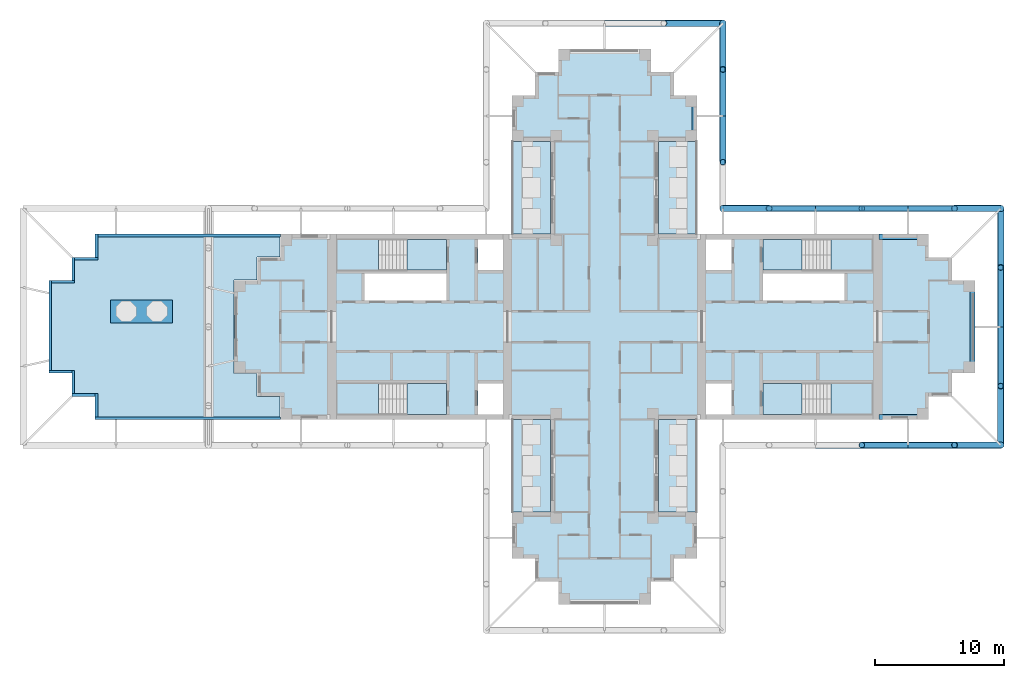
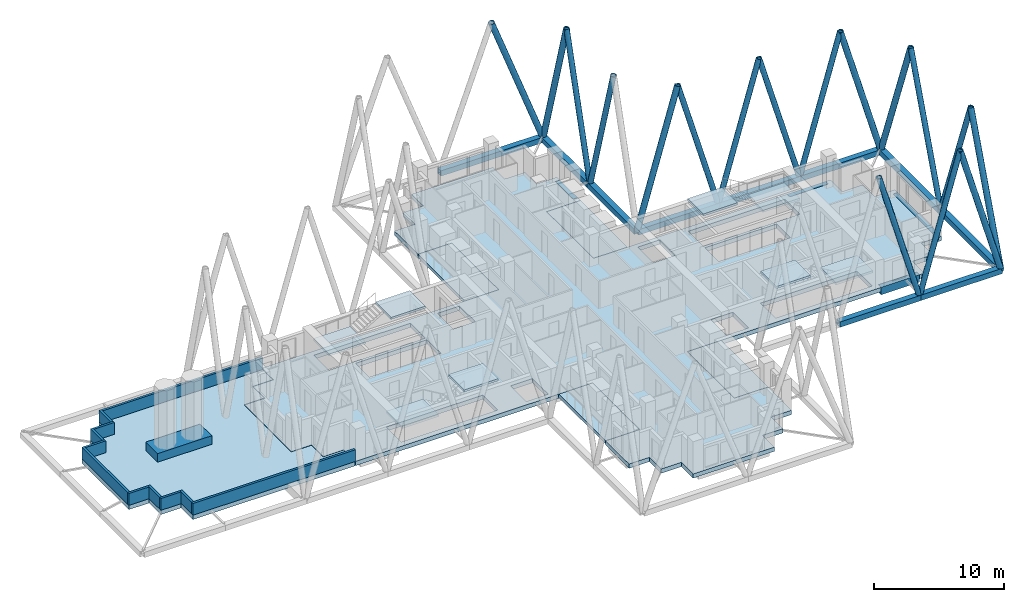
# One storey, part 2 of 11: 27 members, 14 slabs, 12 walls, 4 beams, 4 elements without a shape of their own.
"""IFC4 building model written with IfcOpenShell, lengths in metres."""

from ifc_helpers import new_model, si_unit, direction, frame, frame_2d, origin, origin_2d, place, context, subcontext, project, spatial, polyline, rectangle, hollow_rectangle, hollow_circle, outline, extrude, material, layer, layer_set, material_profile, profile_set, type_object, element, aggregate, save


model = new_model("IFC4")

# Units and contexts
model_context = context("Model", 3, precision=1e-05, world=origin(), true_north=direction((0.0, 1.0)))
body_context = subcontext(model_context, "Body", "Model", "MODEL_VIEW")
ifc_project = project(units=[si_unit("LENGTHUNIT", "METRE"), si_unit("AREAUNIT", "SQUARE_METRE"), si_unit("VOLUMEUNIT", "CUBIC_METRE"), si_unit("PLANEANGLEUNIT", "RADIAN"), si_unit("MASSUNIT", "GRAM", prefix="KILO")], contexts=[model_context])

# Site, building, storey
site_placement = place(None, origin())
site = spatial("IfcSite", under=ifc_project, at=site_placement, CompositionType="ELEMENT")
building_placement = place(site_placement, origin())
building = spatial("IfcBuilding", under=site, at=building_placement, Name="Fustian Cross Tower", CompositionType="ELEMENT")
storey_placement = place(building_placement, frame((0.0, 0.0, 198.89990234375)))
storey = spatial("IfcBuildingStorey", under=building, at=storey_placement, Name="L62", CompositionType="ELEMENT", Elevation=198.89990234375)

# Members
ifc_material_1 = material(Name="Steel S355", Category="steel")
ifc_material_profile_1 = material_profile(ifc_material_1, hollow_circle(Radius=0.228515625, WallThickness=0.01611328125, at=origin_2d()), Name="CHS 457x16")
ifc_profile_set_1 = profile_set([ifc_material_profile_1], Name="Steel S355")
member_type_1 = type_object("IfcMemberType", Name="DIAGRID DIAGONAL CHS 457x16", PredefinedType="BRACE", material=ifc_profile_set_1)
for number, where, z_axis, x_axis, name in (
    (1, (23.60009765625, -9.199951171875, -0.39990234375), (-0.278819195264, 0.0, 0.960343613689), (0.0, -1.0, 0.0), "Diagrid diagonal E-S 04"),
    (2, (23.60009765625, -9.199951171875, -0.39990234375), (0.278801756922, 0.0, 0.960348676438), (0.0, 1.0, 0.0), "Diagrid diagonal E-S 05"),
):
    element("IfcMember", number, at=place(storey_placement, frame(where, z_axis=z_axis, x_axis=x_axis)), inside=storey, type_object=member_type_1, Name=name, PredefinedType="BRACE", context=body_context, shape_type="SweptSolid", body=[
        extrude(hollow_circle(Radius=0.228515625, WallThickness=0.01611328125, at=origin_2d()), origin(), (0.0, 0.0, 1.0), 12.911865234375),
    ])
for number, where, z_axis, x_axis, name in (
    (3, (30.800048828125, 0.0, -0.39990234375), (0.0, -0.347815721372, 0.937562917338), (1.0, 0.0, 0.0), "Diagrid diagonal E-end 02"),
    (4, (30.800048828125, 0.0, -0.39990234375), (0.0, 0.347815721372, 0.937562917338), (-1.0, 0.0, 0.0), "Diagrid diagonal E-end 03"),
):
    element("IfcMember", number, at=place(storey_placement, frame(where, z_axis=z_axis, x_axis=x_axis)), inside=storey, type_object=member_type_1, Name=name, PredefinedType="BRACE", context=body_context, shape_type="SweptSolid", body=[
        extrude(hollow_circle(Radius=0.228515625, WallThickness=0.01611328125, at=origin_2d()), origin(), (0.0, 0.0, 1.0), 13.2255859375),
    ])
for number, where, z_axis, x_axis, name in (
    (5, (23.60009765625, 9.199951171875, -0.39990234375), (0.278801756922, 0.0, 0.960348676438), (0.0, 1.0, 0.0), "Diagrid diagonal E-N 02"),
    (6, (23.60009765625, 9.199951171875, -0.39990234375), (-0.278819195264, 0.0, 0.960343613689), (0.0, -1.0, 0.0), "Diagrid diagonal E-N 03"),
    (7, (16.39990234375, 9.199951171875, -0.39990234375), (0.278819195264, 0.0, 0.960343613689), (0.0, 1.0, 0.0), "Diagrid diagonal E-N 04"),
    (8, (16.39990234375, 9.199951171875, -0.39990234375), (-0.278801756922, 0.0, 0.960348676438), (0.0, -1.0, 0.0), "Diagrid diagonal E-N 05"),
    (9, (9.199951171875, 16.39990234375, -0.39990234375), (0.0, -0.278801756922, 0.960348676438), (1.0, 0.0, 0.0), "Diagrid diagonal N-E 02"),
    (10, (9.199951171875, 16.39990234375, -0.39990234375), (0.0, 0.278819195264, 0.960343613689), (-1.0, 0.0, 0.0), "Diagrid diagonal N-E 03"),
):
    element("IfcMember", number, at=place(storey_placement, frame(where, z_axis=z_axis, x_axis=x_axis)), inside=storey, type_object=member_type_1, Name=name, PredefinedType="BRACE", context=body_context, shape_type="SweptSolid", body=[
        extrude(hollow_circle(Radius=0.228515625, WallThickness=0.01611328125, at=origin_2d()), origin(), (0.0, 0.0, 1.0), 12.911865234375),
    ])
ifc_material_2 = material(Name="Steel S355", Category="steel")
ifc_material_profile_2 = material_profile(ifc_material_2, hollow_circle(Radius=0.25390625, WallThickness=0.02001953125, at=origin_2d()), Name="CHS 508x20")
ifc_profile_set_2 = profile_set([ifc_material_profile_2], Name="Steel S355")
member_type_2 = type_object("IfcMemberType", Name="DIAGRID DIAGONAL CHS 508x20", PredefinedType="BRACE", material=ifc_profile_set_2)
member_1_placement = place(storey_placement, frame((30.800048828125, -9.199951171875, -0.39990234375), z_axis=(-0.278819195264, 0.0, 0.960343613689), x_axis=(0.0, -1.0, 0.0)))
element("IfcMember", 11, at=member_1_placement, inside=storey, type_object=member_type_2, Name="Diagrid diagonal E-S 06", PredefinedType="BRACE", context=body_context, shape_type="SweptSolid", body=[
    extrude(hollow_circle(Radius=0.25390625, WallThickness=0.02001953125, at=origin_2d()), origin(), (0.0, 0.0, 1.0), 12.911865234375),
])
for number, where, z_axis, x_axis, name in (
    (12, (30.800048828125, -9.199951171875, -0.39990234375), (0.0, 0.347799494783, 0.937568936894), (-1.0, 0.0, 0.0), "Diagrid diagonal E-end 01"),
    (13, (30.800048828125, 9.199951171875, -0.39990234375), (0.0, -0.347799494783, 0.937568936894), (1.0, 0.0, 0.0), "Diagrid diagonal E-end 04"),
):
    element("IfcMember", number, at=place(storey_placement, frame(where, z_axis=z_axis, x_axis=x_axis)), inside=storey, type_object=member_type_2, Name=name, PredefinedType="BRACE", context=body_context, shape_type="SweptSolid", body=[
        extrude(hollow_circle(Radius=0.25390625, WallThickness=0.02001953125, at=origin_2d()), origin(), (0.0, 0.0, 1.0), 13.2255859375),
    ])
for number, where, z_axis, x_axis, name in (
    (14, (30.800048828125, 9.199951171875, -0.39990234375), (-0.278819195264, 0.0, 0.960343613689), (0.0, -1.0, 0.0), "Diagrid diagonal E-N 01"),
    (15, (9.199951171875, 9.199951171875, -0.39990234375), (0.278819195264, 0.0, 0.960343613689), (0.0, 1.0, 0.0), "Diagrid diagonal E-N 06"),
    (16, (9.199951171875, 23.60009765625, -0.39990234375), (0.0, -0.278819195264, 0.960343613689), (1.0, 0.0, 0.0), "Diagrid diagonal N-E 04"),
):
    element("IfcMember", number, at=place(storey_placement, frame(where, z_axis=z_axis, x_axis=x_axis)), inside=storey, type_object=member_type_2, Name=name, PredefinedType="BRACE", context=body_context, shape_type="SweptSolid", body=[
        extrude(hollow_circle(Radius=0.25390625, WallThickness=0.02001953125, at=origin_2d()), origin(), (0.0, 0.0, 1.0), 12.911865234375),
    ])
member_2_placement = place(storey_placement, frame((9.199951171875, 23.60009765625, -0.39990234375), z_axis=(-0.347799494783, 0.0, 0.937568936894), x_axis=(0.0, -1.0, 0.0)))
element("IfcMember", 17, at=member_2_placement, inside=storey, type_object=member_type_2, Name="Diagrid diagonal N-end 01", PredefinedType="BRACE", context=body_context, shape_type="SweptSolid", body=[
    extrude(hollow_circle(Radius=0.25390625, WallThickness=0.02001953125, at=origin_2d()), origin(), (0.0, 0.0, 1.0), 13.2255859375),
])
ifc_material_3 = material(Name="Steel S355", Category="steel")
ifc_material_profile_3 = material_profile(ifc_material_3, hollow_rectangle(XDim=0.5, YDim=0.5, WallThickness=0.02490234375, at=origin_2d()), Name="RHS 500x500x25")
ifc_profile_set_3 = profile_set([ifc_material_profile_3], Name="Steel S355")
member_type_3 = type_object("IfcMemberType", Name="DIAGRID RING RHS 500x500x25", PredefinedType="MEMBER", material=ifc_profile_set_3)
member_3_placement = place(storey_placement, frame((30.800048828125, 0.0, -0.39990234375), z_axis=(0.0, 1.0, 0.0), x_axis=(-1.0, 0.0, 0.0)))
element("IfcMember", 18, at=member_3_placement, inside=storey, type_object=member_type_3, Name="Diagrid ring L62-01 L62-02", PredefinedType="MEMBER", context=body_context, shape_type="SweptSolid", body=[
    extrude(hollow_rectangle(XDim=0.5, YDim=0.5, WallThickness=0.02490234375, at=origin_2d()), origin(), (0.0, 0.0, 1.0), 9.199951171875),
])
member_4_placement = place(storey_placement, frame((30.800048828125, 9.199951171875, -0.39990234375), z_axis=(-1.0, 0.0, 0.0), x_axis=(0.0, -1.0, 0.0)))
element("IfcMember", 19, at=member_4_placement, inside=storey, type_object=member_type_3, Name="Diagrid ring L62-02 L62-03", PredefinedType="MEMBER", context=body_context, shape_type="SweptSolid", body=[
    extrude(hollow_rectangle(XDim=0.5, YDim=0.5, WallThickness=0.02490234375, at=origin_2d()), origin(), (0.0, 0.0, 1.0), 7.199951171875),
])
member_5_placement = place(storey_placement, frame((23.60009765625, 9.199951171875, -0.39990234375), z_axis=(-1.0, 0.0, 0.0), x_axis=(0.0, -1.0, 0.0)))
element("IfcMember", 20, at=member_5_placement, inside=storey, type_object=member_type_3, Name="Diagrid ring L62-03 L62-04", PredefinedType="MEMBER", context=body_context, shape_type="SweptSolid", body=[
    extrude(hollow_rectangle(XDim=0.5, YDim=0.5, WallThickness=0.02490234375, at=origin_2d()), origin(), (0.0, 0.0, 1.0), 7.2001953125),
])
for number, where, z_axis, x_axis, name in (
    (21, (16.39990234375, 9.199951171875, -0.39990234375), (-1.0, 0.0, 0.0), (0.0, -1.0, 0.0), "Diagrid ring L62-04 L62-05"),
    (22, (9.199951171875, 9.199951171875, -0.39990234375), (0.0, 1.0, 0.0), (-1.0, 0.0, 0.0), "Diagrid ring L62-05 L62-06"),
):
    element("IfcMember", number, at=place(storey_placement, frame(where, z_axis=z_axis, x_axis=x_axis)), inside=storey, type_object=member_type_3, Name=name, PredefinedType="MEMBER", context=body_context, shape_type="SweptSolid", body=[
        extrude(hollow_rectangle(XDim=0.5, YDim=0.5, WallThickness=0.02490234375, at=origin_2d()), origin(), (0.0, 0.0, 1.0), 7.199951171875),
    ])
member_6_placement = place(storey_placement, frame((9.199951171875, 16.39990234375, -0.39990234375), z_axis=(0.0, 1.0, 0.0), x_axis=(-1.0, 0.0, 0.0)))
element("IfcMember", 23, at=member_6_placement, inside=storey, type_object=member_type_3, Name="Diagrid ring L62-06 L62-07", PredefinedType="MEMBER", context=body_context, shape_type="SweptSolid", body=[
    extrude(hollow_rectangle(XDim=0.5, YDim=0.5, WallThickness=0.02490234375, at=origin_2d()), origin(), (0.0, 0.0, 1.0), 7.2001953125),
])
member_7_placement = place(storey_placement, frame((9.199951171875, 23.60009765625, -0.39990234375), z_axis=(-1.0, 0.0, 0.0), x_axis=(0.0, -1.0, 0.0)))
element("IfcMember", 24, at=member_7_placement, inside=storey, type_object=member_type_3, Name="Diagrid ring L62-07 L62-08", PredefinedType="MEMBER", context=body_context, shape_type="SweptSolid", body=[
    extrude(hollow_rectangle(XDim=0.5, YDim=0.5, WallThickness=0.02490234375, at=origin_2d()), origin(), (0.0, 0.0, 1.0), 9.199951171875),
])
member_8_placement = place(storey_placement, frame((16.39990234375, -9.199951171875, -0.39990234375), z_axis=(1.0, 0.0, 0.0), x_axis=(0.0, 1.0, 0.0)))
element("IfcMember", 25, at=member_8_placement, inside=storey, type_object=member_type_3, Name="Diagrid ring L62-33 L62-34", PredefinedType="MEMBER", context=body_context, shape_type="SweptSolid", body=[
    extrude(hollow_rectangle(XDim=0.5, YDim=0.5, WallThickness=0.02490234375, at=origin_2d()), origin(), (0.0, 0.0, 1.0), 7.2001953125),
])
member_9_placement = place(storey_placement, frame((23.60009765625, -9.199951171875, -0.39990234375), z_axis=(1.0, 0.0, 0.0), x_axis=(0.0, 1.0, 0.0)))
element("IfcMember", 26, at=member_9_placement, inside=storey, type_object=member_type_3, Name="Diagrid ring L62-34 L62-35", PredefinedType="MEMBER", context=body_context, shape_type="SweptSolid", body=[
    extrude(hollow_rectangle(XDim=0.5, YDim=0.5, WallThickness=0.02490234375, at=origin_2d()), origin(), (0.0, 0.0, 1.0), 7.199951171875),
])
member_10_placement = place(storey_placement, frame((30.800048828125, -9.199951171875, -0.39990234375), z_axis=(0.0, 1.0, 0.0), x_axis=(-1.0, 0.0, 0.0)))
element("IfcMember", 27, at=member_10_placement, inside=storey, type_object=member_type_3, Name="Diagrid ring L62-35 L62-01", PredefinedType="MEMBER", context=body_context, shape_type="SweptSolid", body=[
    extrude(hollow_rectangle(XDim=0.5, YDim=0.5, WallThickness=0.02490234375, at=origin_2d()), origin(), (0.0, 0.0, 1.0), 9.199951171875),
])

# Beams
ifc_material_4 = material(Name="Concrete C50/60", Category="concrete")
ifc_material_profile_4 = material_profile(ifc_material_4, rectangle(XDim=0.39990234375, YDim=0.699951171875, at=origin_2d()), Name="RC 400x700")
ifc_profile_set_4 = profile_set([ifc_material_profile_4], Name="Concrete C50/60")
beam_type = type_object("IfcBeamType", Name="EDGE BEAM RC 400x700 C50/60", PredefinedType="SPANDREL", material=ifc_profile_set_4)
beam_1_placement = place(storey_placement, frame((21.35009765625, -7.0, -0.349853515625), z_axis=(1.0, 0.0, 0.0), x_axis=(0.0, 1.0, 0.0)))
element("IfcBeam", 28, at=beam_1_placement, inside=storey, type_object=beam_type, Name="EDGE BEAM L62-01", PredefinedType="SPANDREL", context=body_context, shape_type="SweptSolid", body=[
    extrude(rectangle(XDim=0.39990234375, YDim=0.699951171875, at=origin_2d()), origin(), (0.0, 0.0, 1.0), 3.39990234375),
])
beam_2_placement = place(storey_placement, frame((28.60009765625, -3.14990234375, -0.349853515625), z_axis=(0.0, 1.0, 0.0), x_axis=(-1.0, 0.0, 0.0)))
element("IfcBeam", 29, at=beam_2_placement, inside=storey, type_object=beam_type, Name="EDGE BEAM L62-02", PredefinedType="SPANDREL", context=body_context, shape_type="SweptSolid", body=[
    extrude(rectangle(XDim=0.39990234375, YDim=0.699951171875, at=origin_2d()), origin(), (0.0, 0.0, 1.0), 6.2998046875),
])
beam_3_placement = place(storey_placement, frame((24.75, 7.0, -0.349853515625), z_axis=(-1.0, 0.0, 0.0), x_axis=(0.0, -1.0, 0.0)))
element("IfcBeam", 30, at=beam_3_placement, inside=storey, type_object=beam_type, Name="EDGE BEAM L62-03", PredefinedType="SPANDREL", context=body_context, shape_type="SweptSolid", body=[
    extrude(rectangle(XDim=0.39990234375, YDim=0.699951171875, at=origin_2d()), origin(), (0.0, 0.0, 1.0), 3.39990234375),
])
beam_4_placement = place(storey_placement, frame((7.0, 14.85009765625, -0.349853515625), z_axis=(0.0, 1.0, 0.0), x_axis=(-1.0, 0.0, 0.0)))
element("IfcBeam", 31, at=beam_4_placement, inside=storey, type_object=beam_type, Name="EDGE BEAM L62-07", PredefinedType="SPANDREL", context=body_context, shape_type="SweptSolid", body=[
    extrude(rectangle(XDim=0.39990234375, YDim=0.699951171875, at=origin_2d()), origin(), (0.0, 0.0, 1.0), 2.699951171875),
])

# Slabs
ifc_material_5 = material(Name="Concrete C40/50", Category="concrete")
ifc_layer_1 = layer(ifc_material_5, 0.300048828125)
ifc_layer_set_1 = layer_set([ifc_layer_1], Name="Concrete C40/50")
slab_type_1 = type_object("IfcSlabType", Name="BS1 BALCONY SLAB 300", PredefinedType="FLOOR", material=ifc_layer_set_1)
slab_1_placement = place(storey_placement, frame((0.0, 0.0, -0.2998046875)))
element("IfcSlab", 32, at=slab_1_placement, inside=storey, type_object=slab_type_1, Name="Balcony slab", PredefinedType="FLOOR", context=body_context, shape_type="SweptSolid", body=[
    extrude(outline(polyline([(4.199951171875, 7.199951171875), (7.199951171875, 7.199951171875), (7.199951171875, 14.39990234375), (4.199951171875, 14.39990234375), (4.199951171875, 7.199951171875)])), origin(), (0.0, 0.0, 1.0), 0.2998046875),
])
slab_2_placement = place(storey_placement, frame((0.0, 0.0, -0.2998046875)))
element("IfcSlab", 33, at=slab_2_placement, inside=storey, type_object=slab_type_1, Name="Balcony slab", PredefinedType="FLOOR", context=body_context, shape_type="SweptSolid", body=[
    extrude(outline(polyline([(-7.199951171875, 7.199951171875), (-4.199951171875, 7.199951171875), (-4.199951171875, 14.39990234375), (-7.199951171875, 14.39990234375), (-7.199951171875, 7.199951171875)])), origin(), (0.0, 0.0, 1.0), 0.2998046875),
])
slab_3_placement = place(storey_placement, frame((0.0, 0.0, -0.2998046875)))
element("IfcSlab", 34, at=slab_3_placement, inside=storey, type_object=slab_type_1, Name="Balcony slab", PredefinedType="FLOOR", context=body_context, shape_type="SweptSolid", body=[
    extrude(outline(polyline([(4.199951171875, -14.39990234375), (7.199951171875, -14.39990234375), (7.199951171875, -7.199951171875), (4.199951171875, -7.199951171875), (4.199951171875, -14.39990234375)])), origin(), (0.0, 0.0, 1.0), 0.2998046875),
])
slab_4_placement = place(storey_placement, frame((0.0, 0.0, -0.2998046875)))
element("IfcSlab", 35, at=slab_4_placement, inside=storey, type_object=slab_type_1, Name="Balcony slab", PredefinedType="FLOOR", context=body_context, shape_type="SweptSolid", body=[
    extrude(outline(polyline([(-7.199951171875, -14.39990234375), (-4.199951171875, -14.39990234375), (-4.199951171875, -7.199951171875), (-7.199951171875, -7.199951171875), (-7.199951171875, -14.39990234375)])), origin(), (0.0, 0.0, 1.0), 0.2998046875),
])
ifc_material_6 = material(Name="Concrete C40/50", Category="concrete")
ifc_layer_2 = layer(ifc_material_6, 0.39990234375)
ifc_layer_set_2 = layer_set([ifc_layer_2], Name="Concrete C40/50")
slab_type_2 = type_object("IfcSlabType", Name="FLAT SLAB 400", PredefinedType="FLOOR", material=ifc_layer_set_2)
slab_5_placement = place(storey_placement, frame((0.0, 0.0, -0.39990234375)))
element("IfcSlab", 36, at=slab_5_placement, inside=storey, type_object=slab_type_2, Name="FLOOR SLAB L62-1", PredefinedType="FLOOR", context=body_context, shape_type="SweptSolid", body=[
    extrude(outline(polyline([(-3.60009765625, -19.800048828125), (-5.39990234375, -19.800048828125), (-5.39990234375, -18.0), (-7.199951171875, -18.0), (-7.199951171875, -14.39990234375), (-4.199951171875, -14.39990234375), (-4.199951171875, -7.199951171875), (-25.199951171875, -7.199951171875), (-25.199951171875, -5.39990234375), (-27.0, -5.39990234375), (-27.0, -3.60009765625), (-28.800048828125, -3.60009765625), (-28.800048828125, 3.60009765625), (-27.0, 3.60009765625), (-27.0, 5.39990234375), (-25.199951171875, 5.39990234375), (-25.199951171875, 7.199951171875), (-4.199951171875, 7.199951171875), (-4.199951171875, 14.39990234375), (-7.199951171875, 14.39990234375), (-7.199951171875, 18.0), (-5.39990234375, 18.0), (-5.39990234375, 19.800048828125), (-3.60009765625, 19.800048828125), (-3.60009765625, 21.60009765625), (3.60009765625, 21.60009765625), (3.60009765625, 19.800048828125), (5.39990234375, 19.800048828125), (5.39990234375, 18.0), (7.199951171875, 18.0), (7.199951171875, 14.39990234375), (4.199951171875, 14.39990234375), (4.199951171875, 7.199951171875), (25.199951171875, 7.199951171875), (25.199951171875, 5.39990234375), (27.0, 5.39990234375), (27.0, 3.60009765625), (28.800048828125, 3.60009765625), (28.800048828125, -3.60009765625), (27.0, -3.60009765625), (27.0, -5.39990234375), (25.199951171875, -5.39990234375), (25.199951171875, -7.199951171875), (4.199951171875, -7.199951171875), (4.199951171875, -14.39990234375), (7.199951171875, -14.39990234375), (7.199951171875, -18.0), (5.39990234375, -18.0), (5.39990234375, -19.800048828125), (3.60009765625, -19.800048828125), (3.60009765625, -21.60009765625), (-3.60009765625, -21.60009765625), (-3.60009765625, -19.800048828125)]), holes=[polyline([(7.89990234375, 6.800048828125), (7.89990234375, 4.39990234375), (9.85009765625, 4.39990234375), (9.85009765625, 6.800048828125), (7.89990234375, 6.800048828125)]), polyline([(9.85009765625, -4.39990234375), (7.89990234375, -4.39990234375), (7.89990234375, -6.800048828125), (9.85009765625, -6.800048828125), (9.85009765625, -4.39990234375)]), polyline([(-7.89990234375, 4.39990234375), (-7.89990234375, 6.800048828125), (-9.85009765625, 6.800048828125), (-9.85009765625, 4.39990234375), (-7.89990234375, 4.39990234375)]), polyline([(-9.85009765625, -6.800048828125), (-7.89990234375, -6.800048828125), (-7.89990234375, -4.39990234375), (-9.85009765625, -4.39990234375), (-9.85009765625, -6.800048828125)]), polyline([(12.300048828125, 4.14990234375), (12.300048828125, 2.050048828125), (18.64990234375, 2.050048828125), (18.64990234375, 4.14990234375), (12.300048828125, 4.14990234375)]), polyline([(-12.300048828125, 4.14990234375), (-18.64990234375, 4.14990234375), (-18.64990234375, 2.050048828125), (-12.300048828125, 2.050048828125), (-12.300048828125, 4.14990234375)]), polyline([(20.85009765625, 4.39990234375), (20.85009765625, 6.699951171875), (12.300048828125, 6.699951171875), (12.300048828125, 4.39990234375), (20.85009765625, 4.39990234375)]), polyline([(12.300048828125, -6.699951171875), (20.85009765625, -6.699951171875), (20.85009765625, -4.39990234375), (12.300048828125, -4.39990234375), (12.300048828125, -6.699951171875)]), polyline([(-20.85009765625, 6.699951171875), (-20.85009765625, 4.39990234375), (-12.300048828125, 4.39990234375), (-12.300048828125, 6.699951171875), (-20.85009765625, 6.699951171875)]), polyline([(-12.300048828125, -4.39990234375), (-20.85009765625, -4.39990234375), (-20.85009765625, -6.699951171875), (-12.300048828125, -6.699951171875), (-12.300048828125, -4.39990234375)])]), origin(), (0.0, 0.0, 1.0), 0.39990234375),
])

# Stair, slabs
ifc_material_7 = material(Name="Concrete C50/60", Category="concrete")
stair_type = type_object("IfcStairType", Name="STAIR 1200 HALF TURN", PredefinedType="HALF_TURN_STAIR", material=ifc_material_7)
stair_1_placement = place(storey_placement, origin())
stair_1 = element("IfcStair", 37, at=stair_1_placement, inside=storey, type_object=stair_type, Name="Stair ST1", PredefinedType="HALF_TURN_STAIR")
ifc_material_8 = material(Name="Concrete C50/60", Category="concrete")
ifc_layer_3 = layer(ifc_material_8, 0.199951171875)
ifc_layer_set_3 = layer_set([ifc_layer_3], Name="Concrete C50/60")
slab_type_3 = type_object("IfcSlabType", Name="STAIR LANDING", PredefinedType="LANDING", material=ifc_layer_set_3)
slab_6_placement = place(storey_placement, frame((0.0, 0.0, 1.300048828125)))
slab_6 = element("IfcSlab", 38, at=slab_6_placement, type_object=slab_type_3, Name="ST1 landing 1", PredefinedType="LANDING", context=body_context, shape_type="SweptSolid", body=[
    extrude(outline(polyline([(17.590087890625, 4.39990234375), (20.85009765625, 4.39990234375), (20.85009765625, 6.800048828125), (17.590087890625, 6.800048828125), (17.590087890625, 4.39990234375)])), origin(), (0.0, 0.0, 1.0), 0.199951171875),
])
slab_7_placement = place(storey_placement, frame((0.0, 0.0, 2.800048828125)))
slab_7 = element("IfcSlab", 39, at=slab_7_placement, type_object=slab_type_3, Name="ST1 landing 2", PredefinedType="LANDING", context=body_context, shape_type="SweptSolid", body=[
    extrude(outline(polyline([(12.300048828125, 4.39990234375), (15.35009765625, 4.39990234375), (15.35009765625, 6.800048828125), (12.300048828125, 6.800048828125), (12.300048828125, 4.39990234375)])), origin(), (0.0, 0.0, 1.0), 0.199951171875),
])
aggregate(stair_1, [slab_6, slab_7])

stair_2_placement = place(storey_placement, origin())
stair_2 = element("IfcStair", 40, at=stair_2_placement, inside=storey, type_object=stair_type, Name="Stair ST2", PredefinedType="HALF_TURN_STAIR")
slab_8_placement = place(storey_placement, frame((0.0, 0.0, 1.300048828125)))
slab_8 = element("IfcSlab", 41, at=slab_8_placement, type_object=slab_type_3, Name="ST2 landing 1", PredefinedType="LANDING", context=body_context, shape_type="SweptSolid", body=[
    extrude(outline(polyline([(17.590087890625, -4.39990234375), (20.85009765625, -4.39990234375), (20.85009765625, -6.800048828125), (17.590087890625, -6.800048828125), (17.590087890625, -4.39990234375)])), origin(), (0.0, 0.0, 1.0), 0.199951171875),
])
slab_9_placement = place(storey_placement, frame((0.0, 0.0, 2.800048828125)))
slab_9 = element("IfcSlab", 42, at=slab_9_placement, type_object=slab_type_3, Name="ST2 landing 2", PredefinedType="LANDING", context=body_context, shape_type="SweptSolid", body=[
    extrude(outline(polyline([(12.300048828125, -4.39990234375), (15.35009765625, -4.39990234375), (15.35009765625, -6.800048828125), (12.300048828125, -6.800048828125), (12.300048828125, -4.39990234375)])), origin(), (0.0, 0.0, 1.0), 0.199951171875),
])
aggregate(stair_2, [slab_8, slab_9])

stair_3_placement = place(storey_placement, origin())
stair_3 = element("IfcStair", 43, at=stair_3_placement, inside=storey, type_object=stair_type, Name="Stair ST3", PredefinedType="HALF_TURN_STAIR")
slab_10_placement = place(storey_placement, frame((0.0, 0.0, 1.300048828125)))
slab_10 = element("IfcSlab", 44, at=slab_10_placement, type_object=slab_type_3, Name="ST3 landing 1", PredefinedType="LANDING", context=body_context, shape_type="SweptSolid", body=[
    extrude(outline(polyline([(-17.590087890625, 4.39990234375), (-20.85009765625, 4.39990234375), (-20.85009765625, 6.800048828125), (-17.590087890625, 6.800048828125), (-17.590087890625, 4.39990234375)])), origin(), (0.0, 0.0, 1.0), 0.199951171875),
])
slab_11_placement = place(storey_placement, frame((0.0, 0.0, 2.800048828125)))
slab_11 = element("IfcSlab", 45, at=slab_11_placement, type_object=slab_type_3, Name="ST3 landing 2", PredefinedType="LANDING", context=body_context, shape_type="SweptSolid", body=[
    extrude(outline(polyline([(-12.300048828125, 4.39990234375), (-15.35009765625, 4.39990234375), (-15.35009765625, 6.800048828125), (-12.300048828125, 6.800048828125), (-12.300048828125, 4.39990234375)])), origin(), (0.0, 0.0, 1.0), 0.199951171875),
])
aggregate(stair_3, [slab_10, slab_11])

stair_4_placement = place(storey_placement, origin())
stair_4 = element("IfcStair", 46, at=stair_4_placement, inside=storey, type_object=stair_type, Name="Stair ST4", PredefinedType="HALF_TURN_STAIR")
slab_12_placement = place(storey_placement, frame((0.0, 0.0, 1.300048828125)))
slab_12 = element("IfcSlab", 47, at=slab_12_placement, type_object=slab_type_3, Name="ST4 landing 1", PredefinedType="LANDING", context=body_context, shape_type="SweptSolid", body=[
    extrude(outline(polyline([(-17.590087890625, -4.39990234375), (-20.85009765625, -4.39990234375), (-20.85009765625, -6.800048828125), (-17.590087890625, -6.800048828125), (-17.590087890625, -4.39990234375)])), origin(), (0.0, 0.0, 1.0), 0.199951171875),
])
slab_13_placement = place(storey_placement, frame((0.0, 0.0, 2.800048828125)))
slab_13 = element("IfcSlab", 48, at=slab_13_placement, type_object=slab_type_3, Name="ST4 landing 2", PredefinedType="LANDING", context=body_context, shape_type="SweptSolid", body=[
    extrude(outline(polyline([(-12.300048828125, -4.39990234375), (-15.35009765625, -4.39990234375), (-15.35009765625, -6.800048828125), (-12.300048828125, -6.800048828125), (-12.300048828125, -4.39990234375)])), origin(), (0.0, 0.0, 1.0), 0.199951171875),
])
aggregate(stair_4, [slab_12, slab_13])

# Slab
ifc_material_9 = material(Name="Concrete C40/50", Category="concrete")
ifc_layer_4 = layer(ifc_material_9, 0.39990234375)
ifc_layer_set_4 = layer_set([ifc_layer_4], Name="Concrete C40/50")
slab_type_4 = type_object("IfcSlabType", Name="TERRACE SLAB 400", PredefinedType="ROOF", material=ifc_layer_set_4)
slab_14_placement = place(storey_placement, frame((0.0, 0.0, -0.39990234375)))
element("IfcSlab", 49, at=slab_14_placement, inside=storey, type_object=slab_type_4, Name="Terrace slab L62 1", PredefinedType="ROOF", context=body_context, shape_type="SweptSolid", body=[
    extrude(outline(polyline([(-39.60009765625, -5.39990234375), (-39.60009765625, -7.199951171875), (-25.22998046875, -7.199951171875), (-25.22998046875, -5.429931640625), (-27.030029296875, -5.429931640625), (-27.030029296875, -3.6298828125), (-28.830078125, -3.6298828125), (-28.830078125, 3.6298828125), (-27.030029296875, 3.6298828125), (-27.030029296875, 5.429931640625), (-25.22998046875, 5.429931640625), (-25.22998046875, 7.199951171875), (-39.60009765625, 7.199951171875), (-39.60009765625, 5.39990234375), (-41.39990234375, 5.39990234375), (-41.39990234375, 3.60009765625), (-43.199951171875, 3.60009765625), (-43.199951171875, -3.60009765625), (-41.39990234375, -3.60009765625), (-41.39990234375, -5.39990234375), (-39.60009765625, -5.39990234375)])), origin(), (0.0, 0.0, 1.0), 0.39990234375),
])

# Walls
ifc_material_10 = material(Name="Dark rainscreen cladding on blockwork", Category="masonry")
ifc_layer_5 = layer(ifc_material_10, 0.199951171875)
ifc_layer_set_5 = layer_set([ifc_layer_5], Name="Dark rainscreen cladding on blockwork")
wall_type_1 = type_object("IfcWallType", Name="PARAPET 200", PredefinedType="PARAPET", material=ifc_layer_set_5)
wall_1_placement = place(storey_placement, frame((-25.199951171875, 7.10009765625, 0.0), z_axis=(0.0, 0.0, 1.0), x_axis=(-1.0, 0.0, 0.0)))
element("IfcWall", 50, at=wall_1_placement, inside=storey, type_object=wall_type_1, Name="Terrace parapet L62 1", PredefinedType="PARAPET", context=body_context, shape_type="SweptSolid", body=[
    extrude(rectangle(XDim=14.199951171875, YDim=0.199951171875, at=frame_2d((7.10009765625, 0.0))), origin(), (0.0, 0.0, 1.0), 1.10009765625),
])
for number, where, z_axis, x_axis, name in (
    (51, (-39.5, 7.199951171875, 0.0), (0.0, 0.0, 1.0), (0.0, -1.0, 0.0), "Terrace parapet L62 2"),
    (52, (-39.39990234375, 5.300048828125, 0.0), (0.0, 0.0, 1.0), (-1.0, 0.0, 0.0), "Terrace parapet L62 3"),
):
    element("IfcWall", number, at=place(storey_placement, frame(where, z_axis=z_axis, x_axis=x_axis)), inside=storey, type_object=wall_type_1, Name=name, PredefinedType="PARAPET", context=body_context, shape_type="SweptSolid", body=[
        extrude(rectangle(XDim=1.800048828125, YDim=0.199951171875, at=frame_2d((0.89990234375, 0.0))), origin(), (0.0, 0.0, 1.0), 1.10009765625),
    ])
wall_2_placement = place(storey_placement, frame((-41.300048828125, 5.39990234375, 0.0), z_axis=(0.0, 0.0, 1.0), x_axis=(0.0, -1.0, 0.0)))
element("IfcWall", 53, at=wall_2_placement, inside=storey, type_object=wall_type_1, Name="Terrace parapet L62 4", PredefinedType="PARAPET", context=body_context, shape_type="SweptSolid", body=[
    extrude(rectangle(XDim=1.7998046875, YDim=0.199951171875, at=frame_2d((0.89990234375, 0.0))), origin(), (0.0, 0.0, 1.0), 1.10009765625),
])
wall_3_placement = place(storey_placement, frame((-41.199951171875, 3.5, 0.0), z_axis=(0.0, 0.0, 1.0), x_axis=(-1.0, 0.0, 0.0)))
element("IfcWall", 54, at=wall_3_placement, inside=storey, type_object=wall_type_1, Name="Terrace parapet L62 5", PredefinedType="PARAPET", context=body_context, shape_type="SweptSolid", body=[
    extrude(rectangle(XDim=1.800048828125, YDim=0.199951171875, at=frame_2d((0.89990234375, 0.0))), origin(), (0.0, 0.0, 1.0), 1.10009765625),
])
wall_4_placement = place(storey_placement, frame((-43.10009765625, 3.60009765625, 0.0), z_axis=(0.0, 0.0, 1.0), x_axis=(0.0, -1.0, 0.0)))
element("IfcWall", 55, at=wall_4_placement, inside=storey, type_object=wall_type_1, Name="Terrace parapet L62 6", PredefinedType="PARAPET", context=body_context, shape_type="SweptSolid", body=[
    extrude(rectangle(XDim=7.0, YDim=0.199951171875, at=frame_2d((3.5, 0.0))), origin(), (0.0, 0.0, 1.0), 1.10009765625),
])
for number, where, z_axis, x_axis, name in (
    (56, (-43.199951171875, -3.5, 0.0), (0.0, 0.0, 1.0), (1.0, 0.0, 0.0), "Terrace parapet L62 7"),
    (57, (-41.300048828125, -3.39990234375, 0.0), (0.0, 0.0, 1.0), (0.0, -1.0, 0.0), "Terrace parapet L62 8"),
):
    element("IfcWall", number, at=place(storey_placement, frame(where, z_axis=z_axis, x_axis=x_axis)), inside=storey, type_object=wall_type_1, Name=name, PredefinedType="PARAPET", context=body_context, shape_type="SweptSolid", body=[
        extrude(rectangle(XDim=1.800048828125, YDim=0.199951171875, at=frame_2d((0.89990234375, 0.0))), origin(), (0.0, 0.0, 1.0), 1.10009765625),
    ])
wall_5_placement = place(storey_placement, frame((-41.39990234375, -5.300048828125, 0.0), z_axis=(0.0, 0.0, 1.0), x_axis=(1.0, 0.0, 0.0)))
element("IfcWall", 58, at=wall_5_placement, inside=storey, type_object=wall_type_1, Name="Terrace parapet L62 9", PredefinedType="PARAPET", context=body_context, shape_type="SweptSolid", body=[
    extrude(rectangle(XDim=1.7998046875, YDim=0.199951171875, at=frame_2d((0.89990234375, 0.0))), origin(), (0.0, 0.0, 1.0), 1.10009765625),
])
wall_6_placement = place(storey_placement, frame((-39.5, -5.199951171875, 0.0), z_axis=(0.0, 0.0, 1.0), x_axis=(0.0, -1.0, 0.0)))
element("IfcWall", 59, at=wall_6_placement, inside=storey, type_object=wall_type_1, Name="Terrace parapet L62 10", PredefinedType="PARAPET", context=body_context, shape_type="SweptSolid", body=[
    extrude(rectangle(XDim=1.800048828125, YDim=0.199951171875, at=frame_2d((0.89990234375, 0.0))), origin(), (0.0, 0.0, 1.0), 1.10009765625),
])
wall_7_placement = place(storey_placement, frame((-39.60009765625, -7.10009765625, 0.0), z_axis=(0.0, 0.0, 1.0), x_axis=(1.0, 0.0, 0.0)))
element("IfcWall", 60, at=wall_7_placement, inside=storey, type_object=wall_type_1, Name="Terrace parapet L62 11", PredefinedType="PARAPET", context=body_context, shape_type="SweptSolid", body=[
    extrude(rectangle(XDim=14.400146484375, YDim=0.199951171875, at=frame_2d((7.2001953125, 0.0))), origin(), (0.0, 0.0, 1.0), 1.10009765625),
])
ifc_material_11 = material(Name="Concrete C40/50", Category="concrete")
ifc_layer_6 = layer(ifc_material_11, 1.800048828125)
ifc_layer_set_6 = layer_set([ifc_layer_6], Name="Concrete C40/50")
wall_type_2 = type_object("IfcWallType", Name="PLANTER KERB 1800", PredefinedType="SOLIDWALL", material=ifc_layer_set_6)
wall_8_placement = place(storey_placement, frame((-38.39990234375, 1.199951171875, 0.0), z_axis=(0.0, 0.0, 1.0), x_axis=(1.0, 0.0, 0.0)))
element("IfcWall", 61, at=wall_8_placement, inside=storey, type_object=wall_type_2, Name="PLANTER L6211", PredefinedType="SOLIDWALL", context=body_context, shape_type="SweptSolid", body=[
    extrude(rectangle(XDim=4.7998046875, YDim=1.800048828125, at=frame_2d((2.39990234375, 0.0))), origin(), (0.0, 0.0, 1.0), 0.800048828125),
])

save(model, "model.ifc")
